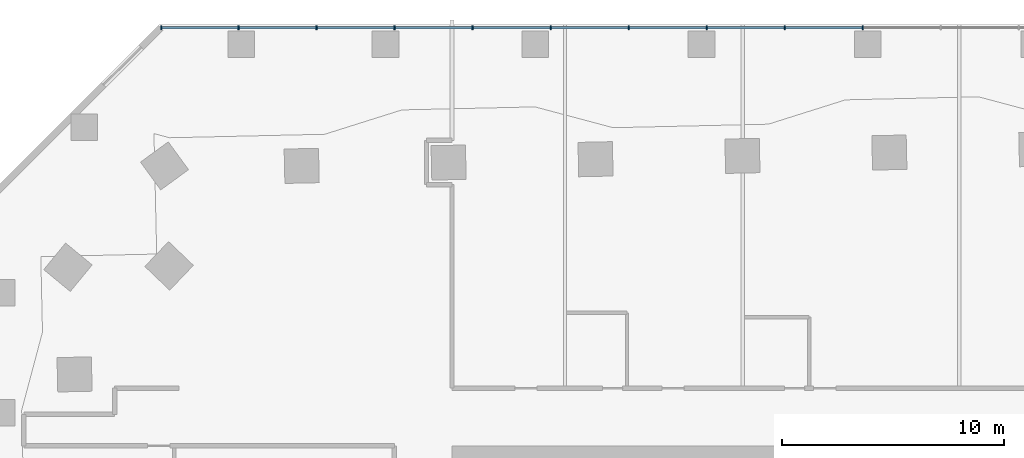
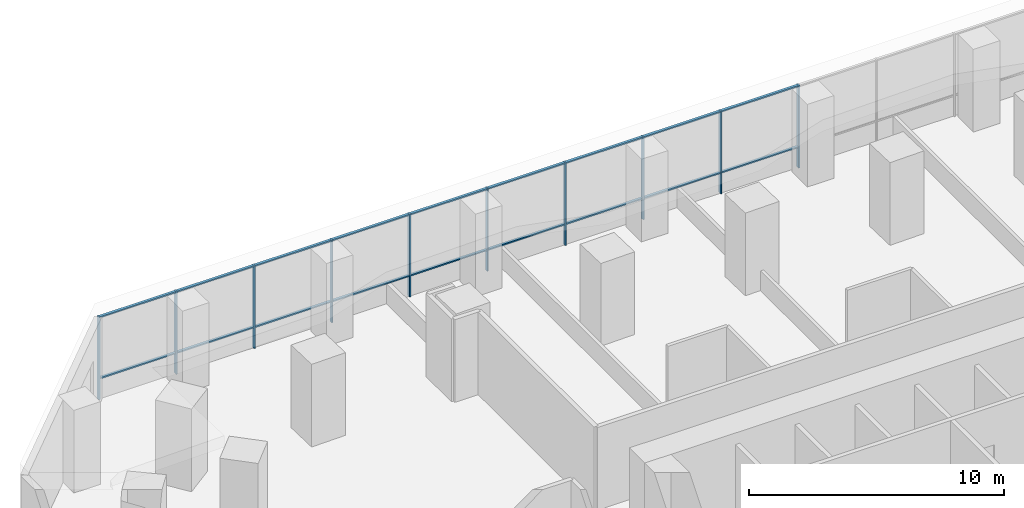
# One storey, part 2 of 12: 28 members, 1 element without a shape of its own.
"""IFC4 building model written with IfcOpenShell, lengths in metres."""

from ifc_helpers import new_model, si_unit, direction, frame, origin, origin_2d, place, context, subcontext, project, spatial, rectangle, extrude, material, material_profile, profile_set, type_object, element, aggregate, save


model = new_model("IFC4")

# Units and contexts
model_context = context("Model", 3, precision=1e-05, world=origin(), true_north=direction((0.0, 1.0)))
body_context = subcontext(model_context, "Body", "Model", "MODEL_VIEW")
ifc_project = project(units=[si_unit("LENGTHUNIT", "METRE"), si_unit("AREAUNIT", "SQUARE_METRE"), si_unit("VOLUMEUNIT", "CUBIC_METRE"), si_unit("PLANEANGLEUNIT", "RADIAN"), si_unit("MASSUNIT", "GRAM", prefix="KILO")], contexts=[model_context])

# Site, building, storey
site_placement = place(None, origin())
site = spatial("IfcSite", under=ifc_project, at=site_placement, CompositionType="ELEMENT")
building_placement = place(site_placement, origin())
building = spatial("IfcBuilding", under=site, at=building_placement, Name="Mangrove Gate Tower", CompositionType="ELEMENT")
storey_placement = place(building_placement, frame((0.0, 0.0, 25.0)))
storey = spatial("IfcBuildingStorey", under=building, at=storey_placement, Name="L05", CompositionType="ELEMENT", Elevation=25.0)

# Curtain wall, members
ifc_material_1 = material(Name="Aluminium and glass curtain wall", Category="aluminium")
curtain_wall_type = type_object("IfcCurtainWallType", Name="Podium amenity glazing wall", PredefinedType="NOTDEFINED", material=ifc_material_1)
curtain_wall_placement = place(storey_placement, origin())
curtain_wall = element("IfcCurtainWall", 1, at=curtain_wall_placement, inside=storey, type_object=curtain_wall_type, Name="Podium amenity glazing N3", PredefinedType="NOTDEFINED")
ifc_material_2 = material(Name="Aluminium alloy 6063-T6", Category="aluminium")
ifc_material_profile_1 = material_profile(ifc_material_2, rectangle(XDim=0.06005859375, YDim=0.159912109375, at=origin_2d()))
ifc_profile_set_1 = profile_set([ifc_material_profile_1], Name="Aluminium alloy 6063-T6")
member_type_1 = type_object("IfcMemberType", Name="Podium amenity glazing mullion 60x160", PredefinedType="MULLION", material=ifc_profile_set_1)
member_1_placement = place(storey_placement, frame((3.517333984375, 30.85009765625, 0.0), z_axis=(0.0, 0.0, 1.0), x_axis=(-1.0, 0.0, 0.0)))
member_1 = element("IfcMember", 2, at=member_1_placement, type_object=member_type_1, Name="CWP mullion 8", PredefinedType="MULLION", context=body_context, shape_type="SweptSolid", body=[
    extrude(rectangle(XDim=0.06005859375, YDim=0.159912109375, at=origin_2d()), origin(), (0.0, 0.0, 1.0), 3.949951171875),
])
member_2_placement = place(storey_placement, frame((0.0, 30.85009765625, 0.0), z_axis=(0.0, 0.0, 1.0), x_axis=(-1.0, 0.0, 0.0)))
member_2 = element("IfcMember", 3, at=member_2_placement, type_object=member_type_1, Name="CWP mullion 9", PredefinedType="MULLION", context=body_context, shape_type="SweptSolid", body=[
    extrude(rectangle(XDim=0.06005859375, YDim=0.159912109375, at=origin_2d()), origin(), (0.0, 0.0, 1.0), 3.949951171875),
])
member_3_placement = place(storey_placement, frame((-3.517333984375, 30.85009765625, 0.0), z_axis=(0.0, 0.0, 1.0), x_axis=(-1.0, 0.0, 0.0)))
member_3 = element("IfcMember", 4, at=member_3_placement, type_object=member_type_1, Name="CWP mullion 10", PredefinedType="MULLION", context=body_context, shape_type="SweptSolid", body=[
    extrude(rectangle(XDim=0.06005859375, YDim=0.159912109375, at=origin_2d()), origin(), (0.0, 0.0, 1.0), 3.949951171875),
])
member_4_placement = place(storey_placement, frame((-7.034423828125, 30.85009765625, 0.0), z_axis=(0.0, 0.0, 1.0), x_axis=(-1.0, 0.0, 0.0)))
member_4 = element("IfcMember", 5, at=member_4_placement, type_object=member_type_1, Name="CWP mullion 11", PredefinedType="MULLION", context=body_context, shape_type="SweptSolid", body=[
    extrude(rectangle(XDim=0.06005859375, YDim=0.159912109375, at=origin_2d()), origin(), (0.0, 0.0, 1.0), 3.949951171875),
])
member_5_placement = place(storey_placement, frame((-10.5517578125, 30.85009765625, 0.0), z_axis=(0.0, 0.0, 1.0), x_axis=(-1.0, 0.0, 0.0)))
member_5 = element("IfcMember", 6, at=member_5_placement, type_object=member_type_1, Name="CWP mullion 12", PredefinedType="MULLION", context=body_context, shape_type="SweptSolid", body=[
    extrude(rectangle(XDim=0.06005859375, YDim=0.159912109375, at=origin_2d()), origin(), (0.0, 0.0, 1.0), 3.949951171875),
])
member_6_placement = place(storey_placement, frame((-14.06884765625, 30.85009765625, 0.0), z_axis=(0.0, 0.0, 1.0), x_axis=(-1.0, 0.0, 0.0)))
member_6 = element("IfcMember", 7, at=member_6_placement, type_object=member_type_1, Name="CWP mullion 13", PredefinedType="MULLION", context=body_context, shape_type="SweptSolid", body=[
    extrude(rectangle(XDim=0.06005859375, YDim=0.159912109375, at=origin_2d()), origin(), (0.0, 0.0, 1.0), 3.949951171875),
])
member_7_placement = place(storey_placement, frame((-17.586181640625, 30.85009765625, 0.0), z_axis=(0.0, 0.0, 1.0), x_axis=(-1.0, 0.0, 0.0)))
member_7 = element("IfcMember", 8, at=member_7_placement, type_object=member_type_1, Name="CWP mullion 14", PredefinedType="MULLION", context=body_context, shape_type="SweptSolid", body=[
    extrude(rectangle(XDim=0.06005859375, YDim=0.159912109375, at=origin_2d()), origin(), (0.0, 0.0, 1.0), 3.949951171875),
])
member_8_placement = place(storey_placement, frame((-21.103515625, 30.85009765625, 0.0), z_axis=(0.0, 0.0, 1.0), x_axis=(-1.0, 0.0, 0.0)))
member_8 = element("IfcMember", 9, at=member_8_placement, type_object=member_type_1, Name="CWP mullion 15", PredefinedType="MULLION", context=body_context, shape_type="SweptSolid", body=[
    extrude(rectangle(XDim=0.06005859375, YDim=0.159912109375, at=origin_2d()), origin(), (0.0, 0.0, 1.0), 3.949951171875),
])
member_9_placement = place(storey_placement, frame((-24.62060546875, 30.85009765625, 0.0), z_axis=(0.0, 0.0, 1.0), x_axis=(-1.0, 0.0, 0.0)))
member_9 = element("IfcMember", 10, at=member_9_placement, type_object=member_type_1, Name="CWP mullion 16", PredefinedType="MULLION", context=body_context, shape_type="SweptSolid", body=[
    extrude(rectangle(XDim=0.06005859375, YDim=0.159912109375, at=origin_2d()), origin(), (0.0, 0.0, 1.0), 3.949951171875),
])
member_10_placement = place(storey_placement, frame((-28.10791015625, 30.85009765625, 0.0), z_axis=(0.0, 0.0, 1.0), x_axis=(-1.0, 0.0, 0.0)))
member_10 = element("IfcMember", 11, at=member_10_placement, type_object=member_type_1, Name="CWP mullion 17", PredefinedType="MULLION", context=body_context, shape_type="SweptSolid", body=[
    extrude(rectangle(XDim=0.06005859375, YDim=0.159912109375, at=origin_2d()), origin(), (0.0, 0.0, 1.0), 3.949951171875),
])
ifc_material_3 = material(Name="Aluminium alloy 6063-T6", Category="aluminium")
ifc_material_profile_2 = material_profile(ifc_material_3, rectangle(XDim=0.06005859375, YDim=0.1201171875, at=origin_2d()))
ifc_profile_set_2 = profile_set([ifc_material_profile_2], Name="Aluminium alloy 6063-T6")
member_type_2 = type_object("IfcMemberType", Name="Podium amenity glazing transom 60x120", PredefinedType="USERDEFINED", material=ifc_profile_set_2)
member_11_placement = place(storey_placement, frame((3.4873046875, 30.85009765625, 1.0), z_axis=(-1.0, 0.0, 0.0), x_axis=(0.0, 0.0, 1.0)))
member_11 = element("IfcMember", 12, at=member_11_placement, type_object=member_type_2, Name="CWP transom 8.2", ObjectType="TRANSOM", PredefinedType="USERDEFINED", context=body_context, shape_type="SweptSolid", body=[
    extrude(rectangle(XDim=0.06005859375, YDim=0.1201171875, at=origin_2d()), origin(), (0.0, 0.0, 1.0), 3.457275390625),
])
member_12_placement = place(storey_placement, frame((3.4873046875, 30.85009765625, 3.919921875), z_axis=(-1.0, 0.0, 0.0), x_axis=(0.0, 0.0, 1.0)))
member_12 = element("IfcMember", 13, at=member_12_placement, type_object=member_type_2, Name="CWP transom 8.3", ObjectType="TRANSOM", PredefinedType="USERDEFINED", context=body_context, shape_type="SweptSolid", body=[
    extrude(rectangle(XDim=0.06005859375, YDim=0.1201171875, at=origin_2d()), origin(), (0.0, 0.0, 1.0), 3.457275390625),
])
member_13_placement = place(storey_placement, frame((-0.030029296875, 30.85009765625, 1.0), z_axis=(-1.0, 0.0, 0.0), x_axis=(0.0, 0.0, 1.0)))
member_13 = element("IfcMember", 14, at=member_13_placement, type_object=member_type_2, Name="CWP transom 9.2", ObjectType="TRANSOM", PredefinedType="USERDEFINED", context=body_context, shape_type="SweptSolid", body=[
    extrude(rectangle(XDim=0.06005859375, YDim=0.1201171875, at=origin_2d()), origin(), (0.0, 0.0, 1.0), 3.457275390625),
])
member_14_placement = place(storey_placement, frame((-0.030029296875, 30.85009765625, 3.919921875), z_axis=(-1.0, 0.0, 0.0), x_axis=(0.0, 0.0, 1.0)))
member_14 = element("IfcMember", 15, at=member_14_placement, type_object=member_type_2, Name="CWP transom 9.3", ObjectType="TRANSOM", PredefinedType="USERDEFINED", context=body_context, shape_type="SweptSolid", body=[
    extrude(rectangle(XDim=0.06005859375, YDim=0.1201171875, at=origin_2d()), origin(), (0.0, 0.0, 1.0), 3.457275390625),
])
member_15_placement = place(storey_placement, frame((-3.547119140625, 30.85009765625, 1.0), z_axis=(-1.0, 0.0, 0.0), x_axis=(0.0, 0.0, 1.0)))
member_15 = element("IfcMember", 16, at=member_15_placement, type_object=member_type_2, Name="CWP transom 10.2", ObjectType="TRANSOM", PredefinedType="USERDEFINED", context=body_context, shape_type="SweptSolid", body=[
    extrude(rectangle(XDim=0.06005859375, YDim=0.1201171875, at=origin_2d()), origin(), (0.0, 0.0, 1.0), 3.457275390625),
])
member_16_placement = place(storey_placement, frame((-3.547119140625, 30.85009765625, 3.919921875), z_axis=(-1.0, 0.0, 0.0), x_axis=(0.0, 0.0, 1.0)))
member_16 = element("IfcMember", 17, at=member_16_placement, type_object=member_type_2, Name="CWP transom 10.3", ObjectType="TRANSOM", PredefinedType="USERDEFINED", context=body_context, shape_type="SweptSolid", body=[
    extrude(rectangle(XDim=0.06005859375, YDim=0.1201171875, at=origin_2d()), origin(), (0.0, 0.0, 1.0), 3.457275390625),
])
member_17_placement = place(storey_placement, frame((-7.064453125, 30.85009765625, 1.0), z_axis=(-1.0, 0.0, 0.0), x_axis=(0.0, 0.0, 1.0)))
member_17 = element("IfcMember", 18, at=member_17_placement, type_object=member_type_2, Name="CWP transom 11.2", ObjectType="TRANSOM", PredefinedType="USERDEFINED", context=body_context, shape_type="SweptSolid", body=[
    extrude(rectangle(XDim=0.06005859375, YDim=0.1201171875, at=origin_2d()), origin(), (0.0, 0.0, 1.0), 3.457275390625),
])
member_18_placement = place(storey_placement, frame((-7.064453125, 30.85009765625, 3.919921875), z_axis=(-1.0, 0.0, 0.0), x_axis=(0.0, 0.0, 1.0)))
member_18 = element("IfcMember", 19, at=member_18_placement, type_object=member_type_2, Name="CWP transom 11.3", ObjectType="TRANSOM", PredefinedType="USERDEFINED", context=body_context, shape_type="SweptSolid", body=[
    extrude(rectangle(XDim=0.06005859375, YDim=0.1201171875, at=origin_2d()), origin(), (0.0, 0.0, 1.0), 3.457275390625),
])
member_19_placement = place(storey_placement, frame((-10.581787109375, 30.85009765625, 1.0), z_axis=(-1.0, 0.0, 0.0), x_axis=(0.0, 0.0, 1.0)))
member_19 = element("IfcMember", 20, at=member_19_placement, type_object=member_type_2, Name="CWP transom 12.2", ObjectType="TRANSOM", PredefinedType="USERDEFINED", context=body_context, shape_type="SweptSolid", body=[
    extrude(rectangle(XDim=0.06005859375, YDim=0.1201171875, at=origin_2d()), origin(), (0.0, 0.0, 1.0), 3.45703125),
])
member_20_placement = place(storey_placement, frame((-10.581787109375, 30.85009765625, 3.919921875), z_axis=(-1.0, 0.0, 0.0), x_axis=(0.0, 0.0, 1.0)))
member_20 = element("IfcMember", 21, at=member_20_placement, type_object=member_type_2, Name="CWP transom 12.3", ObjectType="TRANSOM", PredefinedType="USERDEFINED", context=body_context, shape_type="SweptSolid", body=[
    extrude(rectangle(XDim=0.06005859375, YDim=0.1201171875, at=origin_2d()), origin(), (0.0, 0.0, 1.0), 3.45703125),
])
member_21_placement = place(storey_placement, frame((-14.098876953125, 30.85009765625, 1.0), z_axis=(-1.0, 0.0, 0.0), x_axis=(0.0, 0.0, 1.0)))
member_21 = element("IfcMember", 22, at=member_21_placement, type_object=member_type_2, Name="CWP transom 13.2", ObjectType="TRANSOM", PredefinedType="USERDEFINED", context=body_context, shape_type="SweptSolid", body=[
    extrude(rectangle(XDim=0.06005859375, YDim=0.1201171875, at=origin_2d()), origin(), (0.0, 0.0, 1.0), 3.457275390625),
])
member_22_placement = place(storey_placement, frame((-14.098876953125, 30.85009765625, 3.919921875), z_axis=(-1.0, 0.0, 0.0), x_axis=(0.0, 0.0, 1.0)))
member_22 = element("IfcMember", 23, at=member_22_placement, type_object=member_type_2, Name="CWP transom 13.3", ObjectType="TRANSOM", PredefinedType="USERDEFINED", context=body_context, shape_type="SweptSolid", body=[
    extrude(rectangle(XDim=0.06005859375, YDim=0.1201171875, at=origin_2d()), origin(), (0.0, 0.0, 1.0), 3.457275390625),
])
member_23_placement = place(storey_placement, frame((-17.6162109375, 30.85009765625, 1.0), z_axis=(-1.0, 0.0, 0.0), x_axis=(0.0, 0.0, 1.0)))
member_23 = element("IfcMember", 24, at=member_23_placement, type_object=member_type_2, Name="CWP transom 14.2", ObjectType="TRANSOM", PredefinedType="USERDEFINED", context=body_context, shape_type="SweptSolid", body=[
    extrude(rectangle(XDim=0.06005859375, YDim=0.1201171875, at=origin_2d()), origin(), (0.0, 0.0, 1.0), 3.457275390625),
])
member_24_placement = place(storey_placement, frame((-17.6162109375, 30.85009765625, 3.919921875), z_axis=(-1.0, 0.0, 0.0), x_axis=(0.0, 0.0, 1.0)))
member_24 = element("IfcMember", 25, at=member_24_placement, type_object=member_type_2, Name="CWP transom 14.3", ObjectType="TRANSOM", PredefinedType="USERDEFINED", context=body_context, shape_type="SweptSolid", body=[
    extrude(rectangle(XDim=0.06005859375, YDim=0.1201171875, at=origin_2d()), origin(), (0.0, 0.0, 1.0), 3.457275390625),
])
member_25_placement = place(storey_placement, frame((-21.13330078125, 30.85009765625, 1.0), z_axis=(-1.0, 0.0, 0.0), x_axis=(0.0, 0.0, 1.0)))
member_25 = element("IfcMember", 26, at=member_25_placement, type_object=member_type_2, Name="CWP transom 15.2", ObjectType="TRANSOM", PredefinedType="USERDEFINED", context=body_context, shape_type="SweptSolid", body=[
    extrude(rectangle(XDim=0.06005859375, YDim=0.1201171875, at=origin_2d()), origin(), (0.0, 0.0, 1.0), 3.457275390625),
])
member_26_placement = place(storey_placement, frame((-21.13330078125, 30.85009765625, 3.919921875), z_axis=(-1.0, 0.0, 0.0), x_axis=(0.0, 0.0, 1.0)))
member_26 = element("IfcMember", 27, at=member_26_placement, type_object=member_type_2, Name="CWP transom 15.3", ObjectType="TRANSOM", PredefinedType="USERDEFINED", context=body_context, shape_type="SweptSolid", body=[
    extrude(rectangle(XDim=0.06005859375, YDim=0.1201171875, at=origin_2d()), origin(), (0.0, 0.0, 1.0), 3.457275390625),
])
member_27_placement = place(storey_placement, frame((-24.650634765625, 30.85009765625, 1.0), z_axis=(-1.0, 0.0, 0.0), x_axis=(0.0, 0.0, 1.0)))
member_27 = element("IfcMember", 28, at=member_27_placement, type_object=member_type_2, Name="CWP transom 16.2", ObjectType="TRANSOM", PredefinedType="USERDEFINED", context=body_context, shape_type="SweptSolid", body=[
    extrude(rectangle(XDim=0.06005859375, YDim=0.1201171875, at=origin_2d()), origin(), (0.0, 0.0, 1.0), 3.42724609375),
])
member_28_placement = place(storey_placement, frame((-24.650634765625, 30.85009765625, 3.919921875), z_axis=(-1.0, 0.0, 0.0), x_axis=(0.0, 0.0, 1.0)))
member_28 = element("IfcMember", 29, at=member_28_placement, type_object=member_type_2, Name="CWP transom 16.3", ObjectType="TRANSOM", PredefinedType="USERDEFINED", context=body_context, shape_type="SweptSolid", body=[
    extrude(rectangle(XDim=0.06005859375, YDim=0.1201171875, at=origin_2d()), origin(), (0.0, 0.0, 1.0), 3.42724609375),
])
aggregate(curtain_wall, [member_1, member_2, member_3, member_4, member_5, member_6, member_7, member_8, member_9, member_10, member_11, member_12, member_13, member_14, member_15, member_16, member_17, member_18, member_19, member_20, member_21, member_22, member_23, member_24, member_25, member_26, member_27, member_28])

save(model, "model.ifc")
